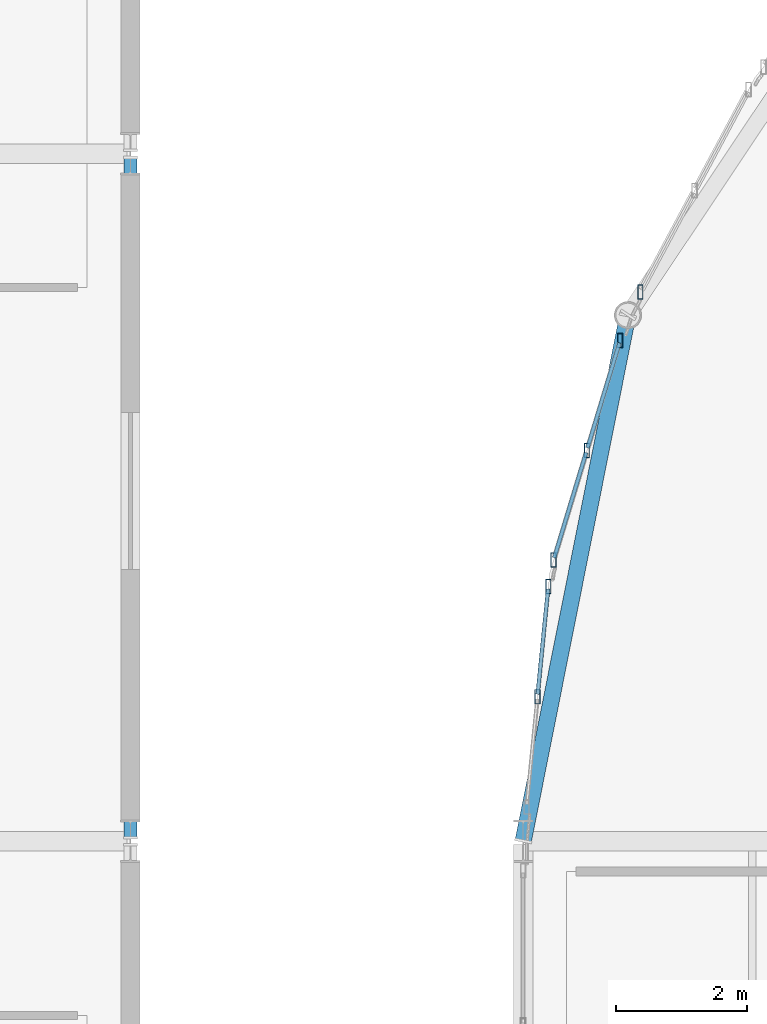
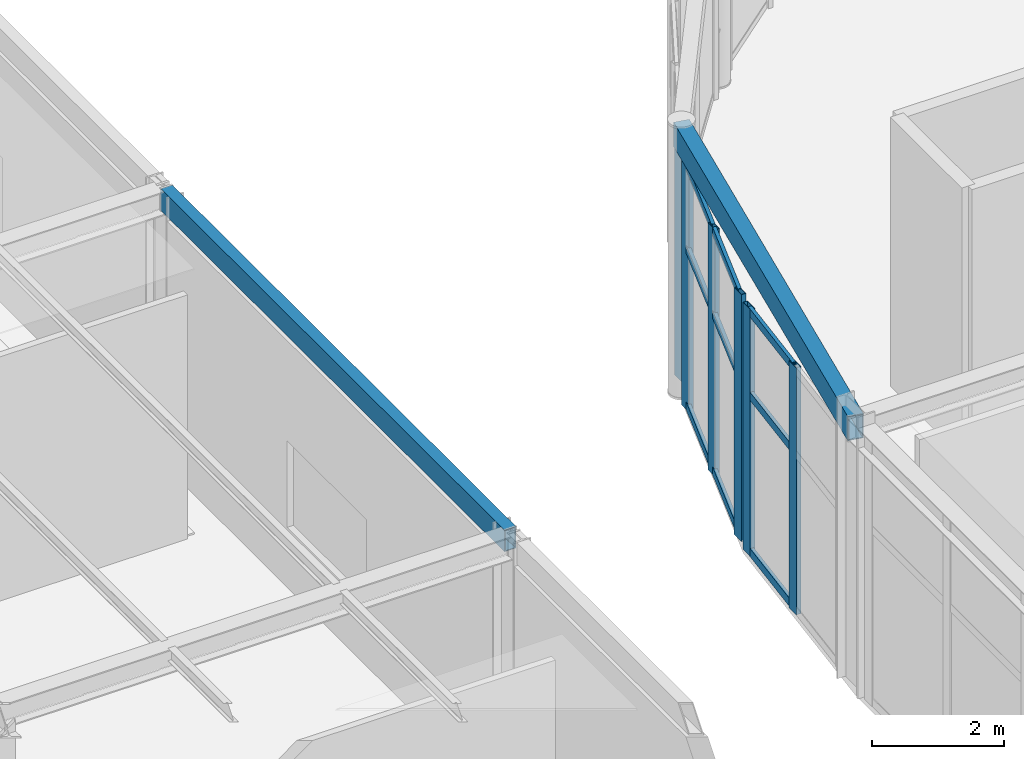
# One storey, part 55 of 195: 15 members, 2 beams, 3 elements without a shape of their own.
"""IFC4 building model written with IfcOpenShell, lengths in metres."""

from ifc_helpers import new_model, si_unit, direction, frame, origin, origin_2d, place, context, subcontext, project, spatial, hollow_rectangle, extrude, material, layer, layer_set, material_profile, profile_set, type_object, element, aggregate, save


model = new_model("IFC4")

# Units and contexts
model_context = context("Model", 3, precision=1e-05, world=origin(), true_north=direction((0.0, 1.0)))
body_context = subcontext(model_context, "Body", "Model", "MODEL_VIEW")
ifc_project = project(units=[si_unit("LENGTHUNIT", "METRE"), si_unit("AREAUNIT", "SQUARE_METRE"), si_unit("VOLUMEUNIT", "CUBIC_METRE"), si_unit("PLANEANGLEUNIT", "RADIAN"), si_unit("MASSUNIT", "GRAM", prefix="KILO")], contexts=[model_context])

# Site, building, storey
site_placement = place(None, origin())
site = spatial("IfcSite", under=ifc_project, at=site_placement, CompositionType="ELEMENT")
building_placement = place(site_placement, origin())
building = spatial("IfcBuilding", under=site, at=building_placement, Name="Marlcrest Central Station", CompositionType="ELEMENT")
storey_placement = place(building_placement, frame((0.0, 0.0, 9.800048828125)))
storey = spatial("IfcBuildingStorey", under=building, at=storey_placement, Name="L02", CompositionType="ELEMENT", Elevation=9.800048828125)

# Curtain wall, members
ifc_material_1 = material(Name="Anodised aluminium and hurricane laminated glass", Category="aluminium")
ifc_layer = layer(ifc_material_1, 0.219970703125, Name="CW-U1")
ifc_layer_set = layer_set([ifc_layer], Name="Anodised aluminium and hurricane laminated glass")
curtain_wall_type = type_object("IfcCurtainWallType", Name="CW-U1", PredefinedType="USERDEFINED", material=ifc_layer_set)
curtain_wall_1_placement = place(storey_placement, origin())
curtain_wall_1 = element("IfcCurtainWall", 1, at=curtain_wall_1_placement, inside=storey, type_object=curtain_wall_type, Name="cw-L02-0067", ObjectType="UNITISED_CURTAIN_WALL", PredefinedType="USERDEFINED")
ifc_material_2 = material(Name="Anodised aluminium 6063-T6", Category="aluminium")
ifc_material_profile_1 = material_profile(ifc_material_2, hollow_rectangle(XDim=0.080078125, YDim=0.219970703125, WallThickness=0.006103515625, at=origin_2d()), Name="AA-RHS 220x80x6")
ifc_profile_set_1 = profile_set([ifc_material_profile_1], Name="Anodised aluminium 6063-T6")
member_type_1 = type_object("IfcMemberType", Name="ML-01", PredefinedType="MULLION", material=ifc_profile_set_1)
member_1_placement = place(storey_placement, frame((87.2177734375, 112.707763671875, -0.030029296875), z_axis=(0.0, 0.0, 1.0), x_axis=(1.0, 0.0, 0.0)))
member_1 = element("IfcMember", 2, at=member_1_placement, type_object=member_type_1, Name="cw-L02-0067-ml-1", PredefinedType="MULLION", context=body_context, shape_type="SweptSolid", body=[
    extrude(hollow_rectangle(XDim=0.080078125, YDim=0.219970703125, WallThickness=0.006103515625, at=origin_2d()), origin(), (0.0, 0.0, 1.0), 4.56005859375),
])
member_2_placement = place(storey_placement, frame((87.3837890625, 114.39208984375, -0.030029296875), z_axis=(0.0, 0.0, 1.0), x_axis=(1.0, 0.0, 0.0)))
member_2 = element("IfcMember", 3, at=member_2_placement, type_object=member_type_1, Name="cw-L02-0067-ml-2", PredefinedType="MULLION", context=body_context, shape_type="SweptSolid", body=[
    extrude(hollow_rectangle(XDim=0.080078125, YDim=0.219970703125, WallThickness=0.006103515625, at=origin_2d()), origin(), (0.0, 0.0, 1.0), 4.56005859375),
])

curtain_wall_2_placement = place(storey_placement, origin())
curtain_wall_2 = element("IfcCurtainWall", 4, at=curtain_wall_2_placement, inside=storey, type_object=curtain_wall_type, Name="cw-L02-0068", ObjectType="UNITISED_CURTAIN_WALL", PredefinedType="USERDEFINED")
member_3_placement = place(storey_placement, frame((87.463623046875, 114.7939453125, -0.030029296875), z_axis=(0.0, 0.0, 1.0), x_axis=(1.0, 0.0, 0.0)))
member_3 = element("IfcMember", 5, at=member_3_placement, type_object=member_type_1, Name="cw-L02-0068-ml-0", PredefinedType="MULLION", context=body_context, shape_type="SweptSolid", body=[
    extrude(hollow_rectangle(XDim=0.080078125, YDim=0.219970703125, WallThickness=0.006103515625, at=origin_2d()), origin(), (0.0, 0.0, 1.0), 4.56005859375),
])
member_4_placement = place(storey_placement, frame((87.97265625, 116.4716796875, -0.030029296875), z_axis=(0.0, 0.0, 1.0), x_axis=(1.0, 0.0, 0.0)))
member_4 = element("IfcMember", 6, at=member_4_placement, type_object=member_type_1, Name="cw-L02-0068-ml-1", PredefinedType="MULLION", context=body_context, shape_type="SweptSolid", body=[
    extrude(hollow_rectangle(XDim=0.080078125, YDim=0.219970703125, WallThickness=0.006103515625, at=origin_2d()), origin(), (0.0, 0.0, 1.0), 4.56005859375),
])
member_5_placement = place(storey_placement, frame((88.481689453125, 118.1494140625, -0.030029296875), z_axis=(0.0, 0.0, 1.0), x_axis=(1.0, 0.0, 0.0)))
member_5 = element("IfcMember", 7, at=member_5_placement, type_object=member_type_1, Name="cw-L02-0068-ml-2", PredefinedType="MULLION", context=body_context, shape_type="SweptSolid", body=[
    extrude(hollow_rectangle(XDim=0.080078125, YDim=0.219970703125, WallThickness=0.006103515625, at=origin_2d()), origin(), (0.0, 0.0, 1.0), 4.56005859375),
])

# Curtain wall, member
curtain_wall_3_placement = place(storey_placement, origin())
curtain_wall_3 = element("IfcCurtainWall", 8, at=curtain_wall_3_placement, inside=storey, type_object=curtain_wall_type, Name="cw-L02-0069", ObjectType="UNITISED_CURTAIN_WALL", PredefinedType="USERDEFINED")
member_6_placement = place(storey_placement, frame((88.789306640625, 118.892333984375, -0.030029296875), z_axis=(0.0, 0.0, 1.0), x_axis=(1.0, 0.0, 0.0)))
member_6 = element("IfcMember", 9, at=member_6_placement, type_object=member_type_1, Name="cw-L02-0069-ml-0", PredefinedType="MULLION", context=body_context, shape_type="SweptSolid", body=[
    extrude(hollow_rectangle(XDim=0.080078125, YDim=0.219970703125, WallThickness=0.006103515625, at=origin_2d()), origin(), (0.0, 0.0, 1.0), 4.56005859375),
])
aggregate(curtain_wall_3, [member_6])

# Beams
ifc_material_3 = material(Name="Steel S355", Category="steel")
ifc_material_profile_2 = material_profile(ifc_material_3, hollow_rectangle(XDim=0.199951171875, YDim=0.39990234375, WallThickness=0.01611328125, at=origin_2d()), Name="RHS 400x200x16")
ifc_profile_set_2 = profile_set([ifc_material_profile_2], Name="Steel S355")
beam_type_1 = type_object("IfcBeamType", Name="SP-01", PredefinedType="SPANDREL", material=ifc_profile_set_2)
beam_1_placement = place(storey_placement, frame((81.0, 110.550048828125, 4.77490234375), z_axis=(0.0, 1.0, 0.0), x_axis=(-1.0, 0.0, 0.0)))
element("IfcBeam", 10, at=beam_1_placement, inside=storey, type_object=beam_type_1, Name="bm-SP-01-L02-00412", PredefinedType="SPANDREL", context=body_context, shape_type="SweptSolid", body=[
    extrude(hollow_rectangle(XDim=0.199951171875, YDim=0.39990234375, WallThickness=0.01611328125, at=origin_2d()), origin(), (0.0, 0.0, 1.0), 10.39990234375),
])
ifc_material_profile_3 = material_profile(ifc_material_3, hollow_rectangle(XDim=0.25, YDim=0.449951171875, WallThickness=0.01611328125, at=origin_2d()), Name="RHS 450x250x16")
ifc_profile_set_3 = profile_set([ifc_material_profile_3], Name="Steel S355")
beam_type_2 = type_object("IfcBeamType", Name="SP-02", PredefinedType="SPANDREL", material=ifc_profile_set_3)
beam_2_placement = place(storey_placement, frame((87.0, 110.5, 4.77001953125), z_axis=(0.19517056122, 0.980769316421, 0.0), x_axis=(-0.980769316421, 0.19517056122, 0.0)))
element("IfcBeam", 11, at=beam_2_placement, inside=storey, type_object=beam_type_2, Name="bm-SP-02-L02-01477", PredefinedType="SPANDREL", context=body_context, shape_type="SweptSolid", body=[
    extrude(hollow_rectangle(XDim=0.25, YDim=0.449951171875, WallThickness=0.01611328125, at=origin_2d()), origin(), (0.0, 0.0, 1.0), 8.193359375),
])

# Member
ifc_material_profile_4 = material_profile(ifc_material_2, hollow_rectangle(XDim=0.06005859375, YDim=0.14990234375, WallThickness=0.00390625, at=origin_2d()), Name="AA-RHS 150x60x4")
ifc_profile_set_4 = profile_set([ifc_material_profile_4], Name="Anodised aluminium 6063-T6")
member_type_2 = type_object("IfcMemberType", Name="TR-01", PredefinedType="USERDEFINED", material=ifc_profile_set_4)
member_7_placement = place(storey_placement, frame((87.221435546875, 112.74560546875, 0.0400390625), z_axis=(0.098172727839, 0.99516939036, 0.0), x_axis=(-0.99516939036, 0.098172727839, 0.0)))
member_7 = element("IfcMember", 12, at=member_7_placement, type_object=member_type_2, Name="cw-L02-0067-tr-1-sill", ObjectType="TRANSOM", PredefinedType="USERDEFINED", context=body_context, shape_type="SweptSolid", body=[
    extrude(hollow_rectangle(XDim=0.06005859375, YDim=0.14990234375, WallThickness=0.00390625, at=origin_2d()), origin(), (0.0, 0.0, 1.0), 1.616455078125),
])

member_8_placement = place(storey_placement, frame((87.221435546875, 112.74560546875, 2.925048828125), z_axis=(0.098172727839, 0.99516939036, 0.0), x_axis=(-0.99516939036, 0.098172727839, 0.0)))
member_8 = element("IfcMember", 13, at=member_8_placement, type_object=member_type_2, Name="cw-L02-0067-tr-1-mid", ObjectType="TRANSOM", PredefinedType="USERDEFINED", context=body_context, shape_type="SweptSolid", body=[
    extrude(hollow_rectangle(XDim=0.06005859375, YDim=0.14990234375, WallThickness=0.00390625, at=origin_2d()), origin(), (0.0, 0.0, 1.0), 1.616455078125),
])

member_9_placement = place(storey_placement, frame((87.221435546875, 112.74560546875, 4.4599609375), z_axis=(0.098172727839, 0.99516939036, 0.0), x_axis=(-0.99516939036, 0.098172727839, 0.0)))
member_9 = element("IfcMember", 14, at=member_9_placement, type_object=member_type_2, Name="cw-L02-0067-tr-1-head", ObjectType="TRANSOM", PredefinedType="USERDEFINED", context=body_context, shape_type="SweptSolid", body=[
    extrude(hollow_rectangle(XDim=0.06005859375, YDim=0.14990234375, WallThickness=0.00390625, at=origin_2d()), origin(), (0.0, 0.0, 1.0), 1.616455078125),
])

aggregate(curtain_wall_1, [member_1, member_2, member_7, member_8, member_9])

member_10_placement = place(storey_placement, frame((87.474853515625, 114.830322265625, 0.0400390625), z_axis=(0.29025787087, 0.95694846695, 0.0), x_axis=(-0.95694846695, 0.29025787087, 0.0)))
member_10 = element("IfcMember", 15, at=member_10_placement, type_object=member_type_2, Name="cw-L02-0068-tr-0-sill", ObjectType="TRANSOM", PredefinedType="USERDEFINED", context=body_context, shape_type="SweptSolid", body=[
    extrude(hollow_rectangle(XDim=0.06005859375, YDim=0.14990234375, WallThickness=0.00390625, at=origin_2d()), origin(), (0.0, 0.0, 1.0), 1.67724609375),
])

member_11_placement = place(storey_placement, frame((87.474853515625, 114.830322265625, 2.925048828125), z_axis=(0.29025787087, 0.95694846695, 0.0), x_axis=(-0.95694846695, 0.29025787087, 0.0)))
member_11 = element("IfcMember", 16, at=member_11_placement, type_object=member_type_2, Name="cw-L02-0068-tr-0-mid", ObjectType="TRANSOM", PredefinedType="USERDEFINED", context=body_context, shape_type="SweptSolid", body=[
    extrude(hollow_rectangle(XDim=0.06005859375, YDim=0.14990234375, WallThickness=0.00390625, at=origin_2d()), origin(), (0.0, 0.0, 1.0), 1.67724609375),
])

member_12_placement = place(storey_placement, frame((87.474853515625, 114.830322265625, 4.4599609375), z_axis=(0.29025787087, 0.95694846695, 0.0), x_axis=(-0.95694846695, 0.29025787087, 0.0)))
member_12 = element("IfcMember", 17, at=member_12_placement, type_object=member_type_2, Name="cw-L02-0068-tr-0-head", ObjectType="TRANSOM", PredefinedType="USERDEFINED", context=body_context, shape_type="SweptSolid", body=[
    extrude(hollow_rectangle(XDim=0.06005859375, YDim=0.14990234375, WallThickness=0.00390625, at=origin_2d()), origin(), (0.0, 0.0, 1.0), 1.67724609375),
])

member_13_placement = place(storey_placement, frame((87.98388671875, 116.508056640625, 0.0400390625), z_axis=(0.29025787087, 0.95694846695, 0.0), x_axis=(-0.95694846695, 0.29025787087, 0.0)))
member_13 = element("IfcMember", 18, at=member_13_placement, type_object=member_type_2, Name="cw-L02-0068-tr-1-sill", ObjectType="TRANSOM", PredefinedType="USERDEFINED", context=body_context, shape_type="SweptSolid", body=[
    extrude(hollow_rectangle(XDim=0.06005859375, YDim=0.14990234375, WallThickness=0.00390625, at=origin_2d()), origin(), (0.0, 0.0, 1.0), 1.67724609375),
])

member_14_placement = place(storey_placement, frame((87.98388671875, 116.508056640625, 2.925048828125), z_axis=(0.29025787087, 0.95694846695, 0.0), x_axis=(-0.95694846695, 0.29025787087, 0.0)))
member_14 = element("IfcMember", 19, at=member_14_placement, type_object=member_type_2, Name="cw-L02-0068-tr-1-mid", ObjectType="TRANSOM", PredefinedType="USERDEFINED", context=body_context, shape_type="SweptSolid", body=[
    extrude(hollow_rectangle(XDim=0.06005859375, YDim=0.14990234375, WallThickness=0.00390625, at=origin_2d()), origin(), (0.0, 0.0, 1.0), 1.67724609375),
])

member_15_placement = place(storey_placement, frame((87.98388671875, 116.508056640625, 4.4599609375), z_axis=(0.29025787087, 0.95694846695, 0.0), x_axis=(-0.95694846695, 0.29025787087, 0.0)))
member_15 = element("IfcMember", 20, at=member_15_placement, type_object=member_type_2, Name="cw-L02-0068-tr-1-head", ObjectType="TRANSOM", PredefinedType="USERDEFINED", context=body_context, shape_type="SweptSolid", body=[
    extrude(hollow_rectangle(XDim=0.06005859375, YDim=0.14990234375, WallThickness=0.00390625, at=origin_2d()), origin(), (0.0, 0.0, 1.0), 1.67724609375),
])

aggregate(curtain_wall_2, [member_3, member_4, member_5, member_10, member_11, member_12, member_13, member_14, member_15])

save(model, "model.ifc")
